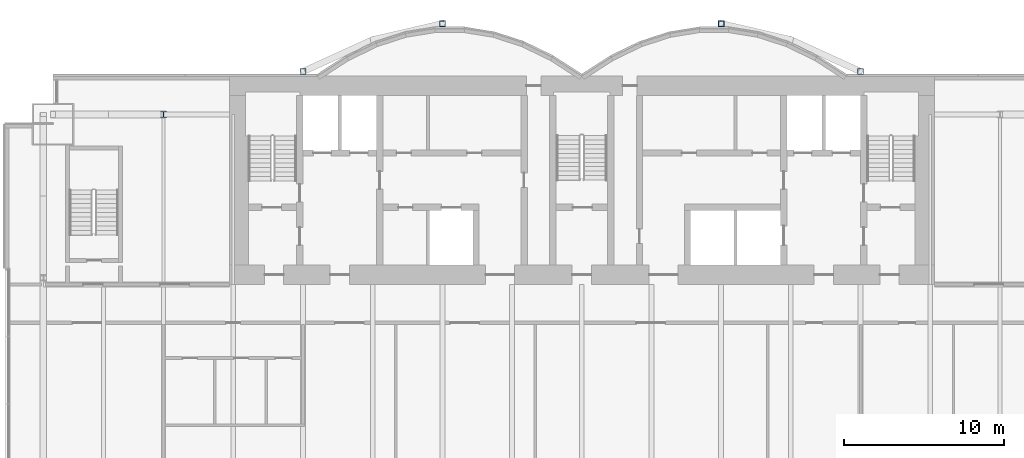
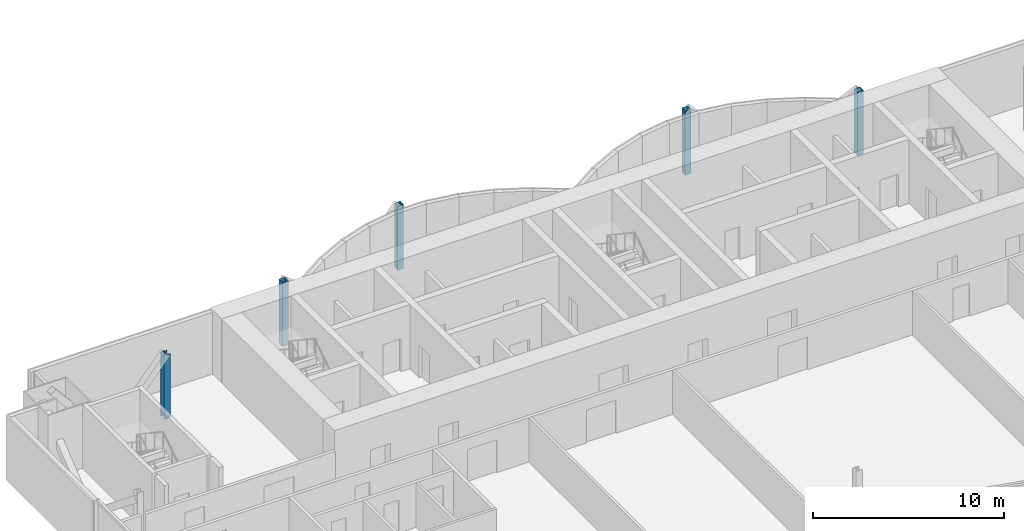
# One storey, part 3 of 20: 5 columns.
"""IFC4 building model written with IfcOpenShell, lengths in metres."""

from ifc_helpers import new_model, si_unit, direction, frame, origin, origin_2d, place, context, subcontext, project, spatial, hollow_rectangle, i_section, extrude, material, material_profile, profile_set, type_object, element, save


model = new_model("IFC4")

# Units and contexts
model_context = context("Model", 3, precision=1e-05, world=origin(), true_north=direction((0.0, 1.0)))
body_context = subcontext(model_context, "Body", "Model", "MODEL_VIEW")
ifc_project = project(units=[si_unit("LENGTHUNIT", "METRE"), si_unit("AREAUNIT", "SQUARE_METRE"), si_unit("VOLUMEUNIT", "CUBIC_METRE"), si_unit("PLANEANGLEUNIT", "RADIAN"), si_unit("MASSUNIT", "GRAM", prefix="KILO")], contexts=[model_context])

# Site, building, storey
site_placement = place(None, origin())
site = spatial("IfcSite", under=ifc_project, at=site_placement, CompositionType="ELEMENT")
building_placement = place(site_placement, origin())
building = spatial("IfcBuilding", under=site, at=building_placement, Name="Bicima Exchange Tower", CompositionType="ELEMENT")
storey_placement = place(building_placement, frame((0.0, 0.0, 207.300048828125)))
storey = spatial("IfcBuildingStorey", under=building, at=storey_placement, Name="L46", CompositionType="ELEMENT", Elevation=207.300048828125)

# Columns
ifc_material_1 = material(Name="Steel ASTM A992 Gr 50", Category="steel")
ifc_material_profile_1 = material_profile(ifc_material_1, i_section(OverallWidth=0.373291015625, OverallDepth=0.373291015625, WebThickness=0.016357421875, FlangeThickness=0.026123046875, at=origin_2d()))
ifc_profile_set_1 = profile_set([ifc_material_profile_1], Name="Steel ASTM A992 Gr 50")
column_type_1 = type_object("IfcColumnType", Name="Perimeter column W14x132", PredefinedType="COLUMN", material=ifc_profile_set_1)
column_placement = place(storey_placement, frame((-26.10009765625, -2.39990234375, 0.0), z_axis=(0.0, 0.0, 1.0), x_axis=(1.0, 0.0, 0.0)))
element("IfcColumn", 1, at=column_placement, inside=storey, type_object=column_type_1, Name="Perimeter column grav-26.1r", PredefinedType="COLUMN", context=body_context, shape_type="SweptSolid", body=[
    extrude(i_section(OverallWidth=0.373291015625, OverallDepth=0.373291015625, WebThickness=0.016357421875, FlangeThickness=0.026123046875, at=origin_2d()), origin(), (0.0, 0.0, 1.0), 4.099853515625),
])
ifc_material_2 = material(Name="Steel ASTM A572 Gr 50", Category="steel")
ifc_material_profile_2 = material_profile(ifc_material_2, hollow_rectangle(XDim=0.355712890625, YDim=0.355712890625, WallThickness=0.01171875, at=origin_2d()))
ifc_profile_set_2 = profile_set([ifc_material_profile_2], Name="Steel ASTM A572 Gr 50")
column_type_2 = type_object("IfcColumnType", Name="Rear pilaster HSS14x14x1/2", PredefinedType="COLUMN", material=ifc_profile_set_2)
for number, where, z_axis, x_axis, name in (
    (2, (-8.699951171875, 3.26904296875, 0.0), (0.0, 0.0, 1.0), (1.0, 0.0, 0.0), "Rear pilaster rexo-8.7r"),
    (3, (-17.39990234375, 0.278076171875, 0.0), (0.0, 0.0, 1.0), (1.0, 0.0, 0.0), "Rear pilaster rexo-17.4r"),
    (4, (8.699951171875, 3.26904296875, 0.0), (0.0, 0.0, 1.0), (1.0, 0.0, 0.0), "Rear pilaster rexo+8.7r"),
    (5, (17.39990234375, 0.278076171875, 0.0), (0.0, 0.0, 1.0), (1.0, 0.0, 0.0), "Rear pilaster rexo+17.4r"),
):
    element("IfcColumn", number, at=place(storey_placement, frame(where, z_axis=z_axis, x_axis=x_axis)), inside=storey, type_object=column_type_2, Name=name, PredefinedType="COLUMN", context=body_context, shape_type="SweptSolid", body=[
        extrude(hollow_rectangle(XDim=0.355712890625, YDim=0.355712890625, WallThickness=0.01171875, at=origin_2d()), origin(), (0.0, 0.0, 1.0), 4.099853515625),
    ])

save(model, "model.ifc")
